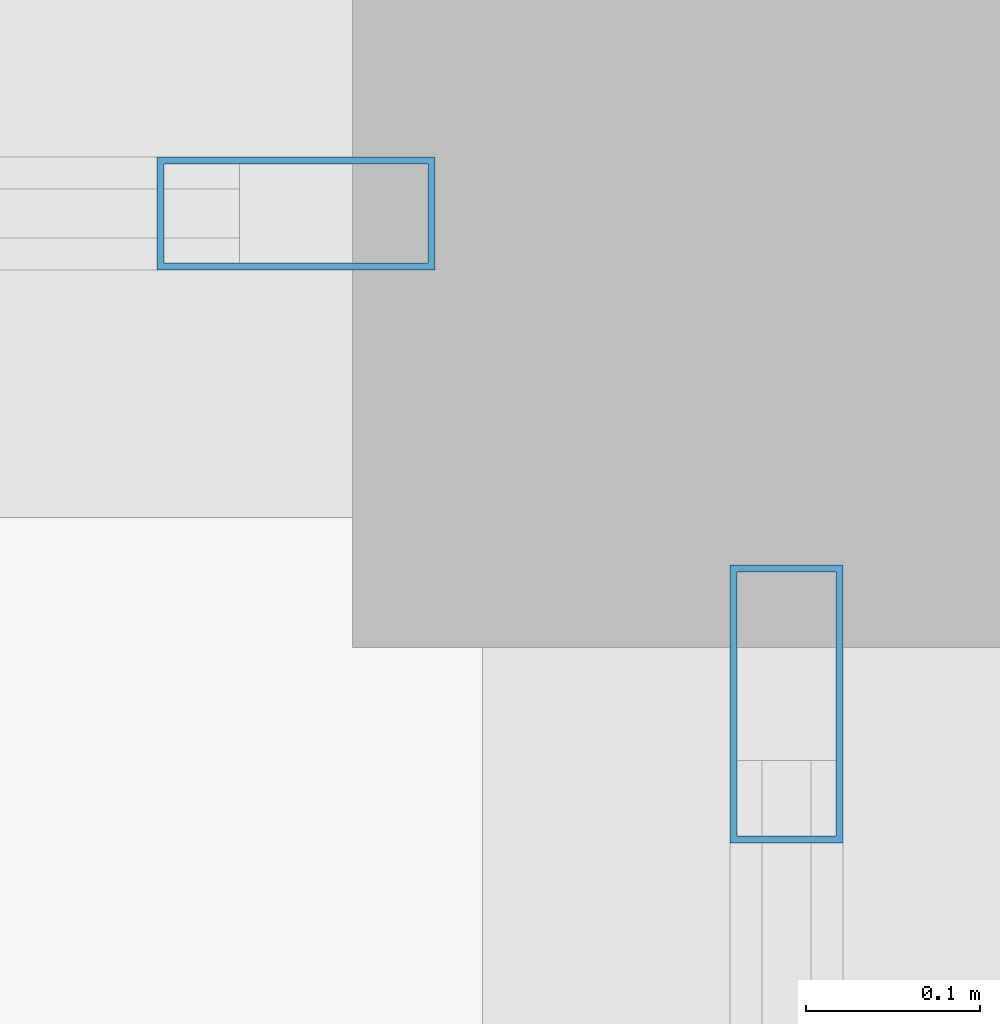
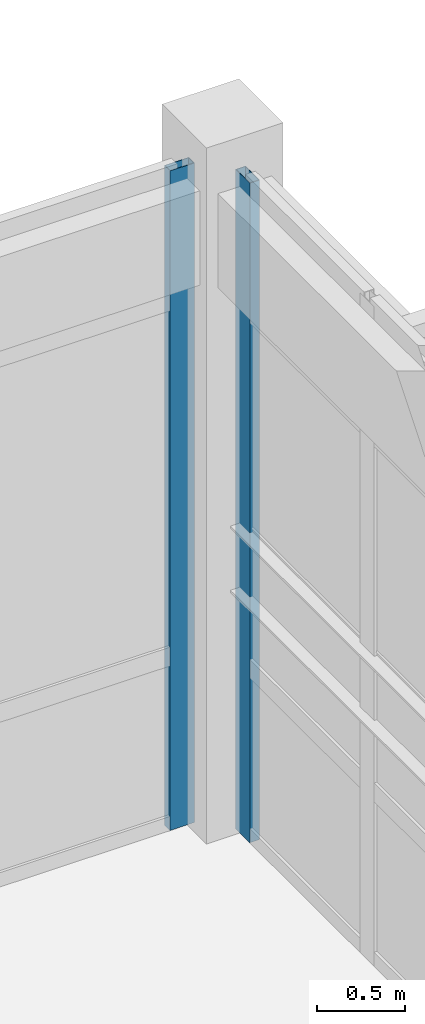
# One storey, part 182 of 236: 2 members, 2 elements without a shape of their own.
"""IFC4 building model written with IfcOpenShell, lengths in metres."""

import ifcopenshell
import ifcopenshell.guid

model = None  # the IFC model being written
_history = None  # IfcOwnerHistory: only IFC2X3 demands one
_inside = {}  # id of a spatial element -> (the spatial element, [elements in it])
_under = {}  # id of a project, library or spatial element -> (it, [spatial elements below it])
_declared = {}  # id of a project -> (the project, [libraries it declares])
_typed = {}  # id of a type object -> (the type object, [elements of that type])
_made_of = {}  # id of a material, layer set ... -> (it, [elements and type objects made of it])


def new_model(schema):
    """Start an empty IFC model of exactly this schema.

    Asked for "IFC4X3", IfcOpenShell would pick the latest addendum, in which some entities
    have other attributes; the version numbers below select the first issue.
    IFC2X3 requires an IfcOwnerHistory on every rooted entity: one is made here for all.
    """
    global model, _history
    if schema == "IFC4X3":
        model = ifcopenshell.file(schema_version=(4, 3, 0, 0))
    else:
        model = ifcopenshell.file(schema=schema)
    _inside.clear()
    _under.clear()
    _declared.clear()
    _typed.clear()
    _made_of.clear()
    _history = None
    if model.schema == "IFC2X3":
        org = make("IfcOrganization", Name="unknown")
        user = make(
            "IfcPersonAndOrganization",
            ThePerson=make("IfcPerson", FamilyName="unknown"),
            TheOrganization=org,
        )
        app = make(
            "IfcApplication",
            ApplicationDeveloper=org,
            Version="unknown",
            ApplicationFullName="unknown",
            ApplicationIdentifier="unknown",
        )
        _history = make(
            "IfcOwnerHistory",
            OwningUser=user,
            OwningApplication=app,
            ChangeAction="ADDED",
            CreationDate=0,
        )
    return model


def make(cls, **values):
    """One entity of the class cls with the attributes given. An attribute that is None is left unset."""
    return model.create_entity(
        cls, **{name: value for name, value in values.items() if value is not None}
    )


def rooted(cls, **values):
    """An entity with a GlobalId (a new one), such as an element, a storey or a relation."""
    return make(cls, GlobalId=ifcopenshell.guid.new(), OwnerHistory=_history, **values)


def si_unit(unit_type, name, prefix=None):
    """IfcSIUnit, for example si_unit("LENGTHUNIT", "METRE", prefix="MILLI")."""
    return make("IfcSIUnit", UnitType=unit_type, Prefix=prefix, Name=name)


def assignment(units):
    """IfcUnitAssignment: the units of a project."""
    return None if units is None else make("IfcUnitAssignment", Units=units)


def point(xyz):
    """IfcCartesianPoint."""
    return None if xyz is None else make("IfcCartesianPoint", Coordinates=xyz)


def direction(xyz):
    """IfcDirection."""
    return None if xyz is None else make("IfcDirection", DirectionRatios=xyz)


def frame(location, z_axis=None, x_axis=None):
    """IfcAxis2Placement3D, a coordinate frame: its origin and axes. An axis left out is left unset."""
    return make(
        "IfcAxis2Placement3D",
        Location=point(location),
        Axis=direction(z_axis),
        RefDirection=direction(x_axis),
    )


def frame_2d(location, x_axis=None):
    """IfcAxis2Placement2D, a coordinate frame in the plane: its origin and x axis."""
    return make(
        "IfcAxis2Placement2D", Location=point(location), RefDirection=direction(x_axis)
    )


def origin():
    """The frame at (0, 0, 0) with its axes left unset."""
    return frame((0.0, 0.0, 0.0))


def origin_2d():
    """The frame at (0, 0) in the plane with its x axis left unset."""
    return frame_2d((0.0, 0.0))


def place(relative_to, where):
    """IfcLocalPlacement: puts the frame where relative to a parent placement (None: the world)."""
    return make(
        "IfcLocalPlacement", PlacementRelTo=relative_to, RelativePlacement=where
    )


def context(
    kind, dimensions, precision=None, world=None, true_north=None, identifier=None
):
    """IfcGeometricRepresentationContext, for example the 3D "Model" context."""
    return make(
        "IfcGeometricRepresentationContext",
        ContextIdentifier=identifier,
        ContextType=kind,
        CoordinateSpaceDimension=dimensions,
        Precision=precision,
        WorldCoordinateSystem=world,
        TrueNorth=true_north,
    )


def subcontext(parent, identifier, kind, view, scale=None):
    """IfcGeometricRepresentationSubContext, for example "Body" below "Model"."""
    return make(
        "IfcGeometricRepresentationSubContext",
        ContextIdentifier=identifier,
        ContextType=kind,
        ParentContext=parent,
        TargetScale=scale,
        TargetView=view,
    )


def project(units=None, contexts=None):
    """IfcProject with its units and contexts."""
    return rooted(
        "IfcProject",
        Name="project",
        RepresentationContexts=contexts,
        UnitsInContext=assignment(units),
    )


def spatial(cls, under=None, at=None, **own):
    """A site, building, storey or space (cls), placed at a placement, below another one or the project."""
    s = rooted(cls, ObjectPlacement=at, **own)
    if under is not None:
        _under.setdefault(under.id(), (under, []))[1].append(s)
    return s


def profile(cls, at=None, kind="AREA", **sizes):
    """A parametric profile (cls). Its sizes go by their IFC names, for example OverallWidth=200.0."""
    return make(cls, ProfileType=kind, Position=at, **sizes)


def hollow_rectangle(**sizes):
    """IfcRectangleHollowProfileDef."""
    return profile("IfcRectangleHollowProfileDef", **sizes)


def extrude(swept, where, along, depth):
    """IfcExtrudedAreaSolid: the profile swept, set in the frame where, extruded along a direction by depth."""
    return make(
        "IfcExtrudedAreaSolid",
        SweptArea=swept,
        Position=where,
        ExtrudedDirection=direction(along),
        Depth=depth,
    )


def shape(context_of_items, identifier, shape_type, items):
    """IfcShapeRepresentation: the items that make up one representation, for example the "Body"."""
    return make(
        "IfcShapeRepresentation",
        ContextOfItems=context_of_items,
        RepresentationIdentifier=identifier,
        RepresentationType=shape_type,
        Items=items,
    )


def material(Name=None, Category=None):
    """IfcMaterial."""
    return make("IfcMaterial", Name=Name, Category=Category)


def layer(
    of_material, thickness, ventilated=None, Name=None, Category=None, Priority=None
):
    """IfcMaterialLayer: one layer of a wall or slab, of a material (None: an air gap)."""
    return make(
        "IfcMaterialLayer",
        Material=of_material,
        LayerThickness=thickness,
        IsVentilated=ventilated,
        Name=Name,
        Category=Category,
        Priority=Priority,
    )


def layer_set(layers, Name=None):
    """IfcMaterialLayerSet."""
    return make("IfcMaterialLayerSet", MaterialLayers=layers, LayerSetName=Name)


def material_profile(
    of_material, cross_section, Name=None, Category=None, Priority=None
):
    """IfcMaterialProfile: a cross section and its material."""
    return make(
        "IfcMaterialProfile",
        Name=Name,
        Material=of_material,
        Profile=cross_section,
        Priority=Priority,
        Category=Category,
    )


def profile_set(profiles, Name=None, composite=None):
    """IfcMaterialProfileSet."""
    return make(
        "IfcMaterialProfileSet",
        Name=Name,
        MaterialProfiles=profiles,
        CompositeProfile=composite,
    )


def made_of(thing, what):
    """Note that an element or type object is made of a material, layer set ...; save() writes the relation."""
    if what is not None:
        _made_of.setdefault(what.id(), (what, []))[1].append(thing)
    return thing


def type_object(cls, material=None, **own):
    """A type object (cls), such as IfcWallType, which elements share."""
    return made_of(rooted(cls, **own), material)


def element(
    cls,
    number,
    at=None,
    inside=None,
    cuts=None,
    type_object=None,
    material=None,
    context=None,
    identifier="Body",
    shape_type=None,
    held_by="IfcProductDefinitionShape",
    body=None,
    shapes=None,
    **own,
):
    """One element of the class cls, such as IfcWall. Its Tag is "e" and its number.

    at: its placement. inside: the storey or other place that contains it. cuts: it is an
    opening in that element (IfcRelVoidsElement). A single representation is given by context,
    identifier, shape_type and body (its items); several are given by shapes. held_by: the class
    of the entity that holds the representations. save() writes the other relations.
    """
    e = rooted(cls, Tag="e%d" % number, ObjectPlacement=at, **own)
    if body is not None:
        shapes = [shape(context, identifier, shape_type, body)]
    if shapes is not None:
        e.Representation = make(held_by, Representations=shapes)
    if inside is not None:
        _inside.setdefault(inside.id(), (inside, []))[1].append(e)
    if cuts is not None:
        rooted(
            "IfcRelVoidsElement", RelatingBuildingElement=cuts, RelatedOpeningElement=e
        )
    if type_object is not None:
        _typed.setdefault(type_object.id(), (type_object, []))[1].append(e)
    return made_of(e, material)


def aggregate(whole, parts):
    """IfcRelAggregates: a whole, such as a stair, and the parts it consists of."""
    return rooted("IfcRelAggregates", RelatingObject=whole, RelatedObjects=parts)


def save(model, path):
    """Write the relations noted so far, then the file.

    IfcRelAggregates (storeys below a building ...), IfcRelContainedInSpatialStructure (elements
    in a storey), IfcRelDefinesByType, IfcRelAssociatesMaterial and IfcRelDeclares: one each for
    every whole, place, type object, material and project.
    """
    for whole, parts in _under.values():
        aggregate(whole, parts)
    for where, things in _inside.values():
        rooted(
            "IfcRelContainedInSpatialStructure",
            RelatedElements=things,
            RelatingStructure=where,
        )
    for kind, things in _typed.values():
        rooted("IfcRelDefinesByType", RelatedObjects=things, RelatingType=kind)
    for what, things in _made_of.values():
        rooted("IfcRelAssociatesMaterial", RelatedObjects=things, RelatingMaterial=what)
    for by, libraries in _declared.values():
        rooted("IfcRelDeclares", RelatingContext=by, RelatedDefinitions=libraries)
    model.write(path)


model = new_model("IFC4")

# Units and contexts
model_context = context("Model", 3, precision=1e-05, world=origin(), true_north=direction((0.0, 1.0)))
body_context = subcontext(model_context, "Body", "Model", "MODEL_VIEW")
ifc_project = project(units=[si_unit("LENGTHUNIT", "METRE"), si_unit("AREAUNIT", "SQUARE_METRE"), si_unit("VOLUMEUNIT", "CUBIC_METRE"), si_unit("PLANEANGLEUNIT", "RADIAN"), si_unit("MASSUNIT", "GRAM", prefix="KILO")], contexts=[model_context])

# Site, building, storey
site_placement = place(None, origin())
site = spatial("IfcSite", under=ifc_project, at=site_placement, CompositionType="ELEMENT")
building_placement = place(site_placement, origin())
building = spatial("IfcBuilding", under=site, at=building_placement, Name="Pandanus Reach Market Hall", CompositionType="ELEMENT")
storey_placement = place(building_placement, frame((0.0, 0.0, 5.39990234375)))
storey = spatial("IfcBuildingStorey", under=building, at=storey_placement, Name="L01", CompositionType="ELEMENT", Elevation=5.39990234375)

# Curtain wall, member
ifc_material_1 = material(Name="Bronze anodised aluminium and low-E glass", Category="aluminium")
ifc_layer_1 = layer(ifc_material_1, 0.159912109375, Name="CW-39")
ifc_layer_set_1 = layer_set([ifc_layer_1], Name="Bronze anodised aluminium and low-E glass")
curtain_wall_type_1 = type_object("IfcCurtainWallType", Name="CW-39", PredefinedType="NOTDEFINED", material=ifc_layer_set_1)
curtain_wall_1_placement = place(storey_placement, origin())
curtain_wall_1 = element("IfcCurtainWall", 1, at=curtain_wall_1_placement, inside=storey, type_object=curtain_wall_type_1, Name="Glazed curtain wall CW-39 CW-0146", PredefinedType="NOTDEFINED")
ifc_material_2 = material(Name="Bronze anodised aluminium", Category="aluminium")
ifc_material_profile = material_profile(ifc_material_2, hollow_rectangle(XDim=0.06494140625, YDim=0.159912109375, WallThickness=0.00390625, at=origin_2d()), Name="ALU65x160", Category="LoadBearing")
ifc_profile_set = profile_set([ifc_material_profile], Name="Bronze anodised aluminium")
member_type = type_object("IfcMemberType", Name="CW-M1", PredefinedType="MULLION", material=ifc_profile_set)
member_1_placement = place(storey_placement, frame((143.717529296875, 120.0, 0.0), z_axis=(0.0, 0.0, 1.0), x_axis=(0.0, 1.0, 0.0)))
member_1 = element("IfcMember", 2, at=member_1_placement, type_object=member_type, Name="CW-39 mullion 8", PredefinedType="MULLION", context=body_context, shape_type="SweptSolid", body=[
    extrude(hollow_rectangle(XDim=0.06494140625, YDim=0.159912109375, WallThickness=0.00390625, at=origin_2d()), origin(), (0.0, 0.0, 1.0), 4.550048828125),
])
aggregate(curtain_wall_1, [member_1])

ifc_layer_2 = layer(ifc_material_1, 0.159912109375, Name="CW-38")
ifc_layer_set_2 = layer_set([ifc_layer_2], Name="Bronze anodised aluminium and low-E glass")
curtain_wall_type_2 = type_object("IfcCurtainWallType", Name="CW-38", PredefinedType="NOTDEFINED", material=ifc_layer_set_2)
curtain_wall_2_placement = place(storey_placement, origin())
curtain_wall_2 = element("IfcCurtainWall", 3, at=curtain_wall_2_placement, inside=storey, type_object=curtain_wall_type_2, Name="Glazed curtain wall CW-38 CW-0152", PredefinedType="NOTDEFINED")
member_2_placement = place(storey_placement, frame((144.0, 119.717529296875, 0.0), z_axis=(0.0, 0.0, 1.0), x_axis=(-1.0, 0.0, 0.0)))
member_2 = element("IfcMember", 4, at=member_2_placement, type_object=member_type, Name="CW-38 mullion 9", PredefinedType="MULLION", context=body_context, shape_type="SweptSolid", body=[
    extrude(hollow_rectangle(XDim=0.06494140625, YDim=0.159912109375, WallThickness=0.00390625, at=origin_2d()), origin(), (0.0, 0.0, 1.0), 4.550048828125),
])
aggregate(curtain_wall_2, [member_2])

save(model, "model.ifc")
